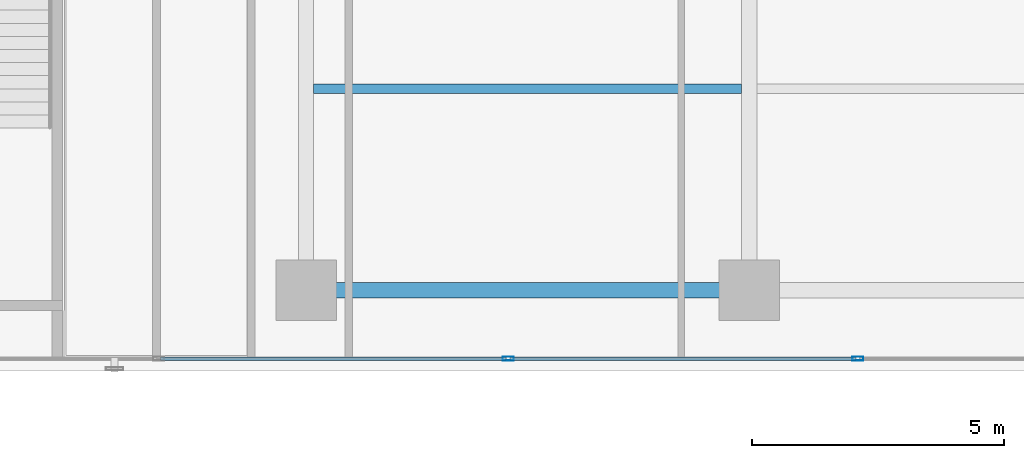
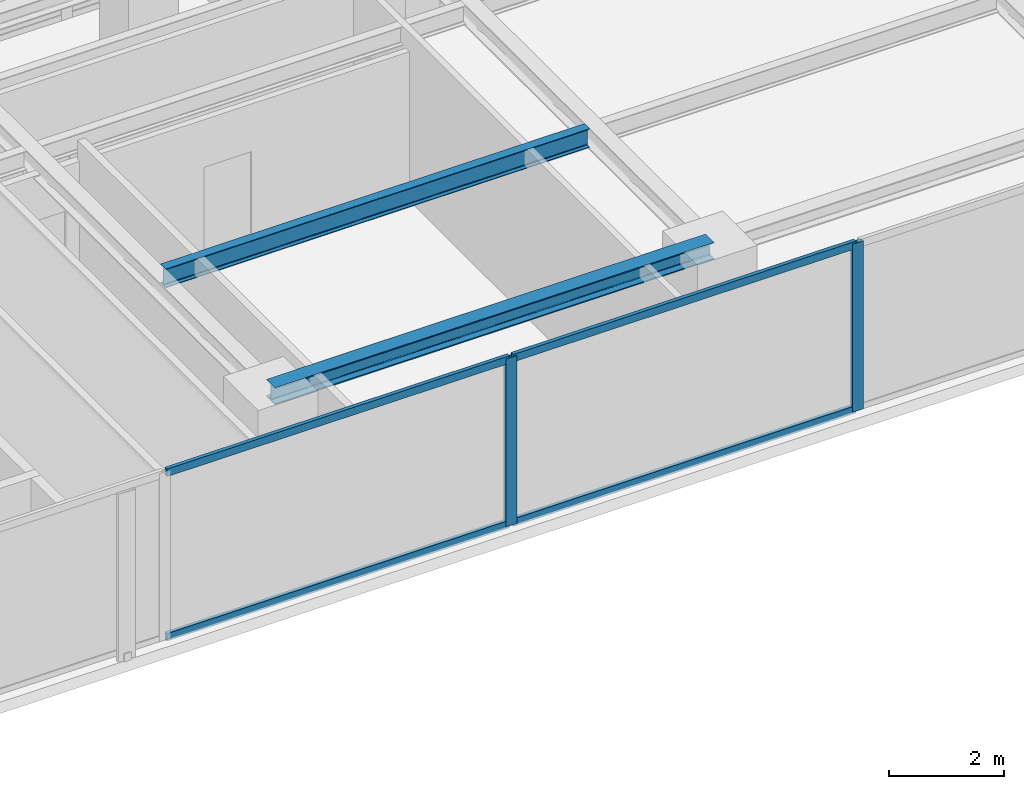
# One storey, part 10 of 24: 6 members, 2 beams, 1 element without a shape of its own.
"""IFC4 building model written with IfcOpenShell, lengths in metres."""

from ifc_helpers import new_model, si_unit, direction, frame, origin, origin_with_axes, origin_2d, place, context, subcontext, project, spatial, hollow_rectangle, i_section, extrude, source, transform, mapped, material, layer, layer_set, material_profile, profile_set, type_object, element, aggregate, save


model = new_model("IFC4")

# Units and contexts
model_context = context("Model", 3, precision=1e-05, world=origin(), true_north=direction((0.0, 1.0)))
body_context = subcontext(model_context, "Body", "Model", "MODEL_VIEW")
ifc_project = project(units=[si_unit("LENGTHUNIT", "METRE"), si_unit("AREAUNIT", "SQUARE_METRE"), si_unit("VOLUMEUNIT", "CUBIC_METRE"), si_unit("PLANEANGLEUNIT", "RADIAN"), si_unit("MASSUNIT", "GRAM", prefix="KILO")], contexts=[model_context])

# Site, building, storey
site_placement = place(None, origin())
site = spatial("IfcSite", under=ifc_project, at=site_placement, CompositionType="ELEMENT")
building_placement = place(site_placement, origin())
building = spatial("IfcBuilding", under=site, at=building_placement, Name="Kolvaren Waterfront Exchange", CompositionType="ELEMENT")
storey_placement = place(building_placement, frame((0.0, 0.0, 169.0)))
storey = spatial("IfcBuildingStorey", under=building, at=storey_placement, Name="L43", CompositionType="ELEMENT", Elevation=169.0)

# Beams
ifc_material_1 = material(Name="Steel S355", Category="steel")
ifc_material_profile_1 = material_profile(ifc_material_1, i_section(OverallWidth=0.300048828125, OverallDepth=0.360107421875, WebThickness=0.012451171875, FlangeThickness=0.0224609375, FilletRadius=0.027099609375, at=origin_2d()), Name="HEB360")
ifc_profile_set_1 = profile_set([ifc_material_profile_1], Name="Steel S355")
beam_type_1 = type_object("IfcBeamType", Name="STR-BM-HEB360", PredefinedType="SPANDREL", material=ifc_profile_set_1)
beam_1_placement = place(storey_placement, frame((36.800048828125, 5.199951171875, 3.3798828125), z_axis=(1.0, 0.0, 0.0), x_axis=(0.0, 1.0, 0.0)))
element("IfcBeam", 1, at=beam_1_placement, inside=storey, type_object=beam_type_1, Name="L43 east-arm spandrel S3", PredefinedType="SPANDREL", context=body_context, shape_type="SweptSolid", body=[
    extrude(i_section(OverallWidth=0.300048828125, OverallDepth=0.360107421875, WebThickness=0.012451171875, FlangeThickness=0.0224609375, FilletRadius=0.027099609375, at=origin_2d()), origin(), (0.0, 0.0, 1.0), 8.800048828125),
])
ifc_material_profile_2 = material_profile(ifc_material_1, i_section(OverallWidth=0.179931640625, OverallDepth=0.39990234375, WebThickness=0.008544921875, FlangeThickness=0.013427734375, FilletRadius=0.02099609375, at=origin_2d()), Name="IPE400")
ifc_profile_set_2 = profile_set([ifc_material_profile_2], Name="Steel S355")
beam_type_2 = type_object("IfcBeamType", Name="STR-BM-IPE400", PredefinedType="JOIST", material=ifc_profile_set_2)
beam_2_placement = place(storey_placement, frame((36.951904296875, 9.199951171875, 3.360107421875), z_axis=(1.0, 0.0, 0.0), x_axis=(0.0, 1.0, 0.0)))
element("IfcBeam", 2, at=beam_2_placement, inside=storey, type_object=beam_type_2, Name="L43 east-arm composite joist 3B", PredefinedType="JOIST", context=body_context, shape_type="SweptSolid", body=[
    extrude(i_section(OverallWidth=0.179931640625, OverallDepth=0.39990234375, WebThickness=0.008544921875, FlangeThickness=0.013427734375, FilletRadius=0.02099609375, at=origin_2d()), origin(), (0.0, 0.0, 1.0), 8.49609375),
])

# Curtain wall, members
ifc_material_2 = material(Name="Anodised bronze aluminium 6063-T6", Category="aluminium")
ifc_layer = layer(ifc_material_2, 0.219970703125, Name="Anodised bronze aluminium 6063-T6")
ifc_layer_set = layer_set([ifc_layer], Name="Anodised bronze aluminium 6063-T6")
curtain_wall_type = type_object("IfcCurtainWallType", Name="ARC-CW-SYS1", PredefinedType="USERDEFINED", material=ifc_layer_set)
curtain_wall_placement = place(storey_placement, origin())
curtain_wall = element("IfcCurtainWall", 3, at=curtain_wall_placement, inside=storey, type_object=curtain_wall_type, Name="L43 stick curtain wall CW1 (CW-L43-S)", ObjectType="STICK CURTAIN WALL", PredefinedType="USERDEFINED")
ifc_material_3 = material(Name="Anodised aluminium 6063-T6", Category="aluminium")
ifc_material_profile_3 = material_profile(ifc_material_3, hollow_rectangle(XDim=0.080078125, YDim=0.219970703125, WallThickness=0.0048828125, at=origin_2d()), Name="ALU-MUL-220x80x5")
ifc_profile_set_3 = profile_set([ifc_material_profile_3], Name="Anodised aluminium 6063-T6")
member_type_1 = type_object("IfcMemberType", Name="ARC-CWM-220", PredefinedType="MULLION", material=ifc_profile_set_3)
shared_shape_1 = source(origin_with_axes(), body_context, "Body", "SweptSolid", [
    extrude(hollow_rectangle(XDim=0.080078125, YDim=0.219970703125, WallThickness=0.0048828125, at=origin_2d()), origin(), (0.0, 0.0, 1.0), 3.56005859375),
])
member_1_placement = place(storey_placement, frame((40.814208984375, 3.840087890625, 0.0), z_axis=(0.0, 0.0, 1.0), x_axis=(0.0, 1.0, 0.0)))
member_1 = element("IfcMember", 4, at=member_1_placement, type_object=member_type_1, Name="CW1 mullion 6", PredefinedType="MULLION", context=body_context, shape_type="MappedRepresentation", body=[
    mapped(shared_shape_1, transform((0.0, 0.0, 0.0), x_axis=(1.0, 0.0, 0.0), y_axis=(0.0, 1.0, 0.0), z_axis=(0.0, 0.0, 1.0), scale=1.0)),
])
member_2_placement = place(storey_placement, frame((47.757080078125, 3.840087890625, 0.0), z_axis=(0.0, 0.0, 1.0), x_axis=(0.0, 1.0, 0.0)))
member_2 = element("IfcMember", 5, at=member_2_placement, type_object=member_type_1, Name="CW1 mullion 7", PredefinedType="MULLION", context=body_context, shape_type="MappedRepresentation", body=[
    mapped(shared_shape_1, transform((0.0, 0.0, 0.0), x_axis=(1.0, 0.0, 0.0), y_axis=(0.0, 1.0, 0.0), z_axis=(0.0, 0.0, 1.0), scale=1.0)),
])
ifc_material_profile_4 = material_profile(ifc_material_3, hollow_rectangle(XDim=0.074951171875, YDim=0.159912109375, WallThickness=0.00439453125, at=origin_2d()), Name="ALU-TRN-160x75x4.5")
ifc_profile_set_4 = profile_set([ifc_material_profile_4], Name="Anodised aluminium 6063-T6")
member_type_2 = type_object("IfcMemberType", Name="ARC-CWT-160", PredefinedType="USERDEFINED", material=ifc_profile_set_4)
shared_shape_2 = source(origin_with_axes(), body_context, "Body", "SweptSolid", [
    extrude(hollow_rectangle(XDim=0.074951171875, YDim=0.159912109375, WallThickness=0.00439453125, at=origin_2d()), origin(), (0.0, 0.0, 1.0), 6.86279296875),
])
member_3_placement = place(storey_placement, frame((33.911376953125, 3.840087890625, 0.03759765625), z_axis=(1.0, 0.0, 0.0), x_axis=(0.0, 1.0, 0.0)))
member_3 = element("IfcMember", 6, at=member_3_placement, type_object=member_type_2, Name="CW1 transom 5.1", ObjectType="TRANSOM", PredefinedType="USERDEFINED", context=body_context, shape_type="MappedRepresentation", body=[
    mapped(shared_shape_2, transform((0.0, 0.0, 0.0), x_axis=(1.0, 0.0, 0.0), y_axis=(0.0, 1.0, 0.0), z_axis=(0.0, 0.0, 1.0), scale=1.0)),
])
member_4_placement = place(storey_placement, frame((33.911376953125, 3.840087890625, 3.5224609375), z_axis=(1.0, 0.0, 0.0), x_axis=(0.0, 1.0, 0.0)))
member_4 = element("IfcMember", 7, at=member_4_placement, type_object=member_type_2, Name="CW1 transom 5.2", ObjectType="TRANSOM", PredefinedType="USERDEFINED", context=body_context, shape_type="MappedRepresentation", body=[
    mapped(shared_shape_2, transform((0.0, 0.0, 0.0), x_axis=(1.0, 0.0, 0.0), y_axis=(0.0, 1.0, 0.0), z_axis=(0.0, 0.0, 1.0), scale=1.0)),
])
member_5_placement = place(storey_placement, frame((40.854248046875, 3.840087890625, 0.03759765625), z_axis=(1.0, 0.0, 0.0), x_axis=(0.0, 1.0, 0.0)))
member_5 = element("IfcMember", 8, at=member_5_placement, type_object=member_type_2, Name="CW1 transom 6.1", ObjectType="TRANSOM", PredefinedType="USERDEFINED", context=body_context, shape_type="MappedRepresentation", body=[
    mapped(shared_shape_2, transform((0.0, 0.0, 0.0), x_axis=(1.0, 0.0, 0.0), y_axis=(0.0, 1.0, 0.0), z_axis=(0.0, 0.0, 1.0), scale=1.0)),
])
member_6_placement = place(storey_placement, frame((40.854248046875, 3.840087890625, 3.5224609375), z_axis=(1.0, 0.0, 0.0), x_axis=(0.0, 1.0, 0.0)))
member_6 = element("IfcMember", 9, at=member_6_placement, type_object=member_type_2, Name="CW1 transom 6.2", ObjectType="TRANSOM", PredefinedType="USERDEFINED", context=body_context, shape_type="MappedRepresentation", body=[
    mapped(shared_shape_2, transform((0.0, 0.0, 0.0), x_axis=(1.0, 0.0, 0.0), y_axis=(0.0, 1.0, 0.0), z_axis=(0.0, 0.0, 1.0), scale=1.0)),
])
aggregate(curtain_wall, [member_1, member_2, member_3, member_4, member_5, member_6])

save(model, "model.ifc")
